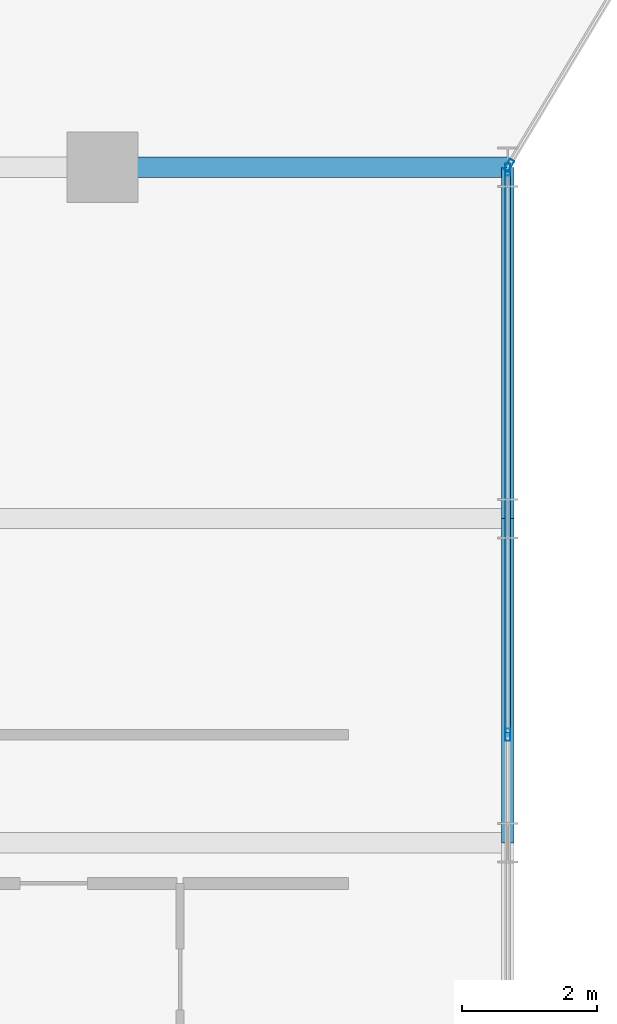
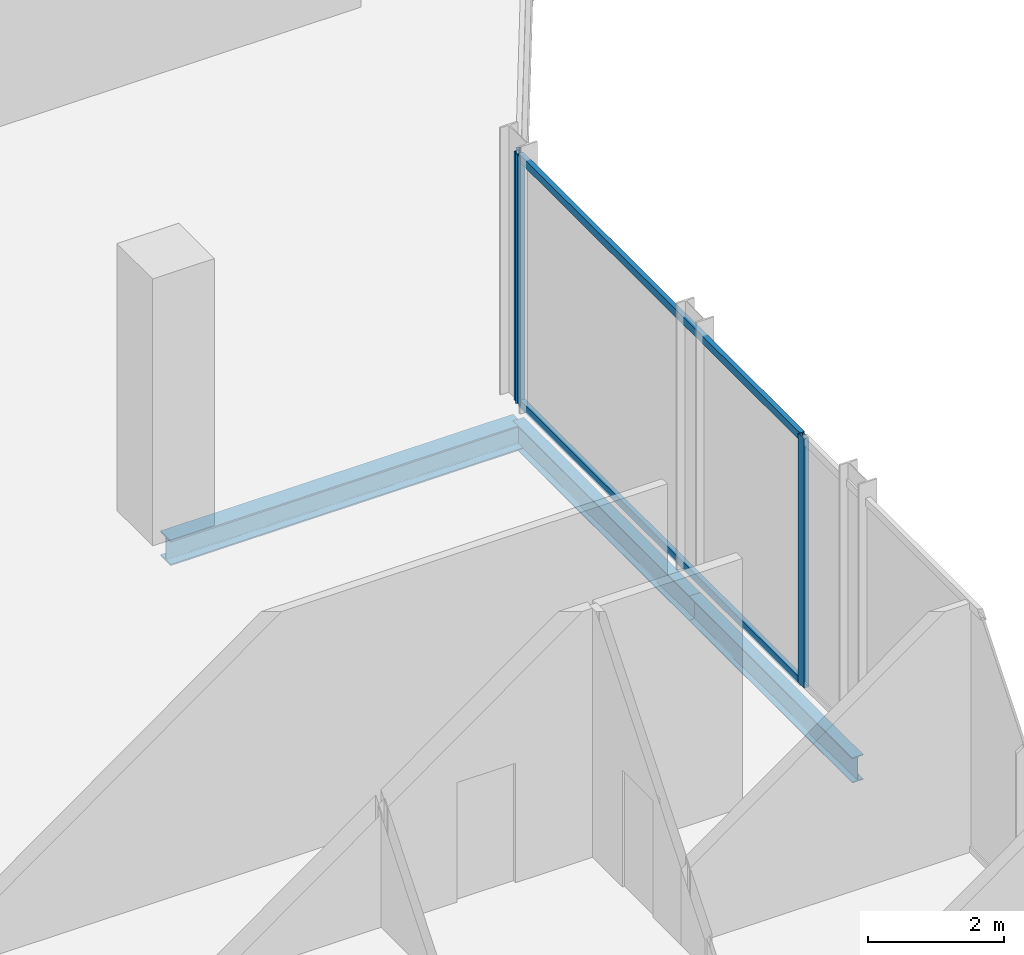
# One storey, part 12 of 29: 5 members, 3 beams, 2 elements without a shape of their own.
"""IFC4 building model written with IfcOpenShell, lengths in metres."""

from ifc_helpers import new_model, si_unit, direction, frame, origin, origin_2d, place, context, subcontext, project, spatial, hollow_rectangle, i_section, extrude, material, layer, layer_set, material_profile, profile_set, type_object, element, aggregate, save


model = new_model("IFC4")

# Units and contexts
model_context = context("Model", 3, precision=1e-05, world=origin(), true_north=direction((0.0, 1.0)))
body_context = subcontext(model_context, "Body", "Model", "MODEL_VIEW")
ifc_project = project(units=[si_unit("LENGTHUNIT", "METRE"), si_unit("AREAUNIT", "SQUARE_METRE"), si_unit("VOLUMEUNIT", "CUBIC_METRE"), si_unit("PLANEANGLEUNIT", "RADIAN"), si_unit("MASSUNIT", "GRAM", prefix="KILO")], contexts=[model_context])

# Site, building, storey
site_placement = place(None, origin())
site = spatial("IfcSite", under=ifc_project, at=site_placement, CompositionType="ELEMENT")
building_placement = place(site_placement, origin())
building = spatial("IfcBuilding", under=site, at=building_placement, Name="Keshet Zoharim Tower", CompositionType="ELEMENT")
storey_placement = place(building_placement, frame((0.0, 0.0, 120.5)))
storey = spatial("IfcBuildingStorey", under=building, at=storey_placement, Name="L29", CompositionType="ELEMENT", Elevation=120.5)

# Beams
ifc_material_1 = material(Name="Steel S355", Category="steel")
ifc_material_profile_1 = material_profile(ifc_material_1, i_section(OverallWidth=0.18994140625, OverallDepth=0.449951171875, WebThickness=0.009521484375, FlangeThickness=0.0146484375, FilletRadius=0.02099609375, at=origin_2d()), Name="IPE450")
ifc_profile_set_1 = profile_set([ifc_material_profile_1], Name="Steel S355")
beam_type_1 = type_object("IfcBeamType", Name="BM-PRI-IP450", PredefinedType="BEAM", material=ifc_profile_set_1)
beam_1_placement = place(storey_placement, frame((57.0, 17.89990234375, -0.544921875), z_axis=(0.0, 1.0, 0.0), x_axis=(-1.0, 0.0, 0.0)))
element("IfcBeam", 1, at=beam_1_placement, inside=storey, type_object=beam_type_1, Name="L29 Primary Girder Y-015", PredefinedType="BEAM", context=body_context, shape_type="SweptSolid", body=[
    extrude(i_section(OverallWidth=0.18994140625, OverallDepth=0.449951171875, WebThickness=0.009521484375, FlangeThickness=0.0146484375, FilletRadius=0.02099609375, at=origin_2d()), origin(), (0.0, 0.0, 1.0), 4.800048828125),
])
beam_2_placement = place(storey_placement, frame((57.0, 22.699951171875, -0.544921875), z_axis=(0.0, 1.0, 0.0), x_axis=(-1.0, 0.0, 0.0)))
element("IfcBeam", 2, at=beam_2_placement, inside=storey, type_object=beam_type_1, Name="L29 Primary Girder Y-016", PredefinedType="BEAM", context=body_context, shape_type="SweptSolid", body=[
    extrude(i_section(OverallWidth=0.18994140625, OverallDepth=0.449951171875, WebThickness=0.009521484375, FlangeThickness=0.0146484375, FilletRadius=0.02099609375, at=origin_2d()), origin(), (0.0, 0.0, 1.0), 5.199951171875),
])
ifc_material_profile_2 = material_profile(ifc_material_1, i_section(OverallWidth=0.300048828125, OverallDepth=0.449951171875, WebThickness=0.013916015625, FlangeThickness=0.02587890625, FilletRadius=0.027099609375, at=origin_2d()), Name="HEB450")
ifc_profile_set_2 = profile_set([ifc_material_profile_2], Name="Steel S355")
beam_type_2 = type_object("IfcBeamType", Name="BM-WEB-HB450", PredefinedType="BEAM", material=ifc_profile_set_2)
beam_3_placement = place(storey_placement, frame((51.0, 27.89990234375, -0.544921875), z_axis=(1.0, 0.0, 0.0), x_axis=(0.0, 1.0, 0.0)))
element("IfcBeam", 3, at=beam_3_placement, inside=storey, type_object=beam_type_2, Name="L29 Primary Girder X-017", PredefinedType="BEAM", context=body_context, shape_type="SweptSolid", body=[
    extrude(i_section(OverallWidth=0.300048828125, OverallDepth=0.449951171875, WebThickness=0.013916015625, FlangeThickness=0.02587890625, FilletRadius=0.027099609375, at=origin_2d()), origin(), (0.0, 0.0, 1.0), 6.0),
])

# Curtain wall, member
ifc_material_2 = material(Name="Aluminium 6063-T6", Category="aluminium")
ifc_layer = layer(ifc_material_2, 0.14990234375)
ifc_layer_set = layer_set([ifc_layer], Name="Aluminium 6063-T6")
curtain_wall_type = type_object("IfcCurtainWallType", Name="CW-SYS-04", PredefinedType="NOTDEFINED", material=ifc_layer_set)
curtain_wall_1_placement = place(storey_placement, origin())
curtain_wall_1 = element("IfcCurtainWall", 4, at=curtain_wall_1_placement, inside=storey, type_object=curtain_wall_type, Name="L29 Unitised Curtain Wall 18", PredefinedType="NOTDEFINED")
ifc_material_profile_3 = material_profile(ifc_material_2, hollow_rectangle(XDim=0.080078125, YDim=0.179931640625, WallThickness=0.00439453125, at=origin_2d()), Name="MUL-80x180")
ifc_profile_set_3 = profile_set([ifc_material_profile_3], Name="Aluminium 6063-T6")
member_type_1 = type_object("IfcMemberType", Name="CWM-M18", PredefinedType="MULLION", material=ifc_profile_set_3)
member_1_placement = place(storey_placement, frame((57.01806640625, 27.929931640625, 0.0), z_axis=(0.0, 0.0, 1.0), x_axis=(0.857501477862, -0.514481501576, 0.0)))
member_1 = element("IfcMember", 5, at=member_1_placement, type_object=member_type_1, Name="CW-04 mullion 2", PredefinedType="MULLION", context=body_context, shape_type="SweptSolid", body=[
    extrude(hollow_rectangle(XDim=0.080078125, YDim=0.179931640625, WallThickness=0.00439453125, at=origin_2d()), origin(), (0.0, 0.0, 1.0), 4.47998046875),
])
aggregate(curtain_wall_1, [member_1])

# Curtain wall, members
curtain_wall_2_placement = place(storey_placement, origin())
curtain_wall_2 = element("IfcCurtainWall", 6, at=curtain_wall_2_placement, inside=storey, type_object=curtain_wall_type, Name="L29 Unitised Curtain Wall 19", PredefinedType="NOTDEFINED")
member_2_placement = place(storey_placement, frame((57.0, 27.864990234375, 0.0), z_axis=(0.0, 0.0, 1.0), x_axis=(1.0, 0.0, 0.0)))
member_2 = element("IfcMember", 7, at=member_2_placement, type_object=member_type_1, Name="CW-04 mullion 1", PredefinedType="MULLION", context=body_context, shape_type="SweptSolid", body=[
    extrude(hollow_rectangle(XDim=0.080078125, YDim=0.179931640625, WallThickness=0.00439453125, at=origin_2d()), origin(), (0.0, 0.0, 1.0), 4.47998046875),
])
member_3_placement = place(storey_placement, frame((57.0, 19.5, 0.0), z_axis=(0.0, 0.0, 1.0), x_axis=(1.0, 0.0, 0.0)))
member_3 = element("IfcMember", 8, at=member_3_placement, type_object=member_type_1, Name="CW-04 mullion 2", PredefinedType="MULLION", context=body_context, shape_type="SweptSolid", body=[
    extrude(hollow_rectangle(XDim=0.080078125, YDim=0.179931640625, WallThickness=0.00439453125, at=origin_2d()), origin(), (0.0, 0.0, 1.0), 4.47998046875),
])
ifc_material_profile_4 = material_profile(ifc_material_2, hollow_rectangle(XDim=0.080078125, YDim=0.139892578125, WallThickness=0.00390625, at=origin_2d()), Name="TRN-80x140")
ifc_profile_set_4 = profile_set([ifc_material_profile_4], Name="Aluminium 6063-T6")
member_type_2 = type_object("IfcMemberType", Name="CWT-T14", PredefinedType="USERDEFINED", material=ifc_profile_set_4)
member_4_placement = place(storey_placement, frame((57.0, 27.830078125, 0.034912109375), z_axis=(0.0, -1.0, 0.0), x_axis=(1.0, 0.0, 0.0)))
member_4 = element("IfcMember", 9, at=member_4_placement, type_object=member_type_2, Name="CW-04 transom 1.1", ObjectType="TRANSOM", PredefinedType="USERDEFINED", context=body_context, shape_type="SweptSolid", body=[
    extrude(hollow_rectangle(XDim=0.080078125, YDim=0.139892578125, WallThickness=0.00390625, at=origin_2d()), origin(), (0.0, 0.0, 1.0), 8.295166015625),
])
member_5_placement = place(storey_placement, frame((57.0, 27.830078125, 4.445068359375), z_axis=(0.0, -1.0, 0.0), x_axis=(1.0, 0.0, 0.0)))
member_5 = element("IfcMember", 10, at=member_5_placement, type_object=member_type_2, Name="CW-04 transom 1.2", ObjectType="TRANSOM", PredefinedType="USERDEFINED", context=body_context, shape_type="SweptSolid", body=[
    extrude(hollow_rectangle(XDim=0.080078125, YDim=0.139892578125, WallThickness=0.00390625, at=origin_2d()), origin(), (0.0, 0.0, 1.0), 8.295166015625),
])
aggregate(curtain_wall_2, [member_2, member_3, member_4, member_5])

save(model, "model.ifc")
